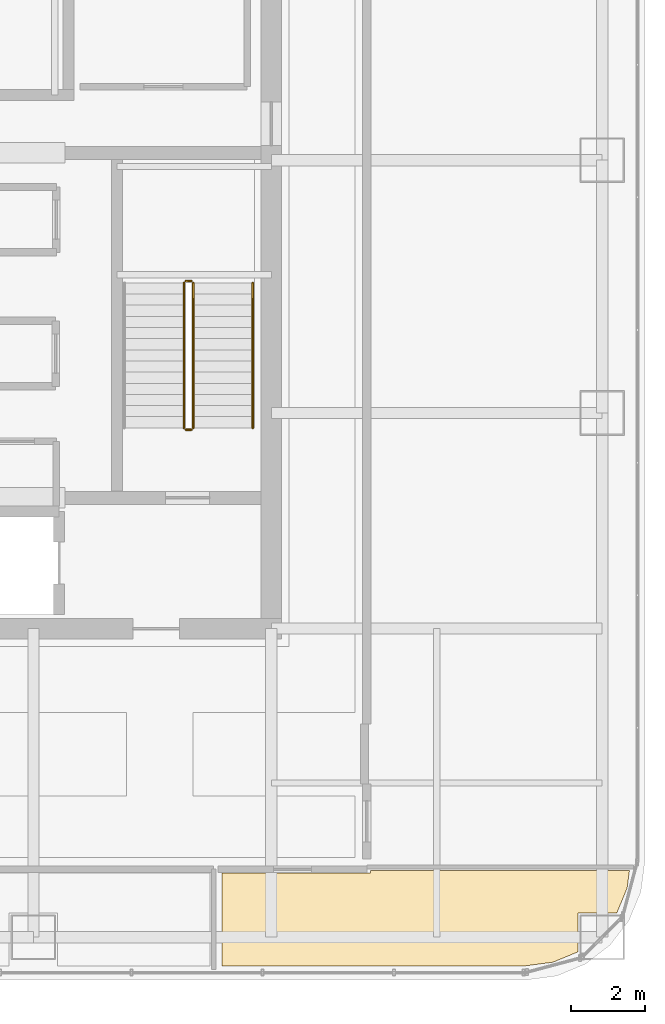
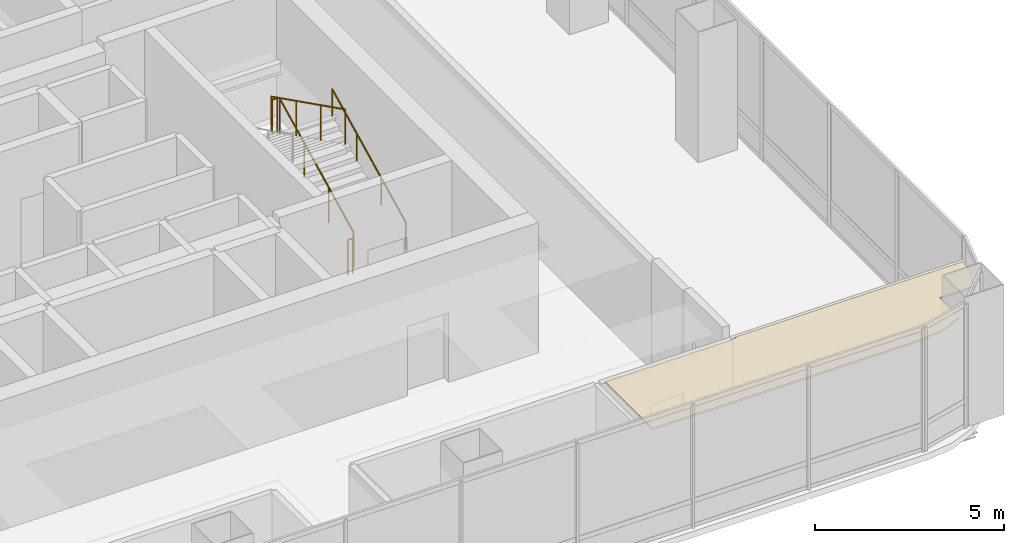
# One storey, part 41 of 42: 5 railings, 1 covering.
"""IFC4 building model written with IfcOpenShell, lengths in metres."""

from ifc_helpers import new_model, si_unit, direction, frame, origin, origin_2d, place, context, subcontext, project, spatial, polyline, circle, outline, extrude, material, layer, layer_set, type_object, element, save


model = new_model("IFC4")

# Units and contexts
model_context = context("Model", 3, precision=1e-05, world=origin(), true_north=direction((0.0, 1.0)))
body_context = subcontext(model_context, "Body", "Model", "MODEL_VIEW")
ifc_project = project(units=[si_unit("LENGTHUNIT", "METRE"), si_unit("AREAUNIT", "SQUARE_METRE"), si_unit("VOLUMEUNIT", "CUBIC_METRE"), si_unit("PLANEANGLEUNIT", "RADIAN"), si_unit("MASSUNIT", "GRAM", prefix="KILO")], contexts=[model_context])

# Site, building, storey
site_placement = place(None, origin())
site = spatial("IfcSite", under=ifc_project, at=site_placement, CompositionType="ELEMENT")
building_placement = place(site_placement, origin())
building = spatial("IfcBuilding", under=site, at=building_placement, Name="Punatoya Terracotta Tower", CompositionType="ELEMENT")
storey_placement = place(building_placement, frame((0.0, 0.0, 296.39990234375)))
storey = spatial("IfcBuildingStorey", under=building, at=storey_placement, Name="L70", CompositionType="ELEMENT", Elevation=296.39990234375)

# Covering
ifc_material_1 = material(Name="Acoustic Mineral Fibre Ceiling")
ifc_layer = layer(ifc_material_1, 0.06005859375)
ifc_layer_set = layer_set([ifc_layer], Name="Acoustic Mineral Fibre Ceiling")
covering_type = type_object("IfcCoveringType", Name="COV-CEIL-60", PredefinedType="CEILING", material=ifc_layer_set)
covering_placement = place(storey_placement, frame((0.0, 0.0, 3.39013671875)))
element("IfcCovering", 1, at=covering_placement, inside=storey, type_object=covering_type, Name="L70 Open-Plan Press Briefing Room Acoustic Ceiling", PredefinedType="CEILING", context=body_context, shape_type="SweptSolid", body=[
    extrude(outline(polyline([(12.8701171875, -15.77001953125), (8.8720703125, -15.77001953125), (8.8720703125, -18.27001953125), (17.025146484375, -18.27001953125), (17.779052734375, -18.1708984375), (18.449951171875, -17.892822265625), (18.449951171875, -16.85009765625), (19.492919921875, -16.85009765625), (19.770751953125, -16.178955078125), (19.83251953125, -15.7099609375), (12.8701171875, -15.7099609375), (12.8701171875, -15.77001953125)])), origin(), (0.0, 0.0, 1.0), 0.06005859375),
])

# Railings
ifc_material_2 = material(Name="Steel S355", Category="steel")
railing_type_1 = type_object("IfcRailingType", Name="RLG-GRD-1150", PredefinedType="GUARDRAIL", material=ifc_material_2)
railing_1_placement = place(storey_placement, frame((8.10009765625, -3.800048828125, 0.150146484375)))
element("IfcRailing", 2, at=railing_1_placement, inside=storey, type_object=railing_type_1, Name="L70 ST-2 stair guard 1", PredefinedType="GUARDRAIL", context=body_context, shape_type="SweptSolid", body=[
    extrude(circle(Radius=0.02392578125, at=origin_2d()), frame((0.0, 0.0, 1.1259765625), z_axis=(0.0, 0.894438388696, 0.447191199406), x_axis=(-1.0, 0.0, 0.0)), (0.0, 0.0, 1.0), 4.3603515625),
    extrude(circle(Radius=0.02099609375, at=origin_2d()), origin(), (0.0, 0.0, 1.0), 1.101806640625),
    extrude(circle(Radius=0.02099609375, at=origin_2d()), frame((0.0, 1.300048828125, 0.64990234375)), (0.0, 0.0, 1.0), 1.101806640625),
    extrude(circle(Radius=0.02099609375, at=origin_2d()), frame((0.0, 2.60009765625, 1.300048828125)), (0.0, 0.0, 1.0), 1.101806640625),
    extrude(circle(Radius=0.02099609375, at=origin_2d()), frame((0.0, 3.900146484375, 1.949951171875)), (0.0, 0.0, 1.0), 1.101806640625),
])
railing_2_placement = place(storey_placement, frame((8.050048828125, 0.14990234375, 2.10009765625)))
element("IfcRailing", 3, at=railing_2_placement, inside=storey, type_object=railing_type_1, Name="L70 ST-2 stair guard 2", PredefinedType="GUARDRAIL", context=body_context, shape_type="SweptSolid", body=[
    extrude(circle(Radius=0.02392578125, at=origin_2d()), frame((0.0, 0.0, 1.1259765625), z_axis=(-1.0, 0.0, 0.0), x_axis=(0.0, -1.0, 0.0)), (0.0, 0.0, 1.0), 0.150146484375),
    extrude(circle(Radius=0.02099609375, at=origin_2d()), origin(), (0.0, 0.0, 1.0), 1.101806640625),
    extrude(circle(Radius=0.02099609375, at=origin_2d()), frame((-0.150146484375, 0.0, 0.0)), (0.0, 0.0, 1.0), 1.101806640625),
])
railing_3_placement = place(storey_placement, frame((7.85009765625, 0.10009765625, 2.25)))
element("IfcRailing", 4, at=railing_3_placement, inside=storey, type_object=railing_type_1, Name="L70 ST-2 stair guard 3", PredefinedType="GUARDRAIL", context=body_context, shape_type="SweptSolid", body=[
    extrude(circle(Radius=0.02392578125, at=origin_2d()), frame((0.0, 0.0, 1.1259765625), z_axis=(0.0, -0.894415993023, 0.447235990752), x_axis=(1.0, 0.0, 0.0)), (0.0, 0.0, 1.0), 4.360595703125),
    extrude(circle(Radius=0.02099609375, at=origin_2d()), origin(), (0.0, 0.0, 1.0), 1.101806640625),
    extrude(circle(Radius=0.02099609375, at=origin_2d()), frame((0.0, -1.300048828125, 0.650146484375)), (0.0, 0.0, 1.0), 1.101806640625),
    extrude(circle(Radius=0.02099609375, at=origin_2d()), frame((0.0, -2.60009765625, 1.300048828125)), (0.0, 0.0, 1.0), 1.101806640625),
    extrude(circle(Radius=0.02099609375, at=origin_2d()), frame((0.0, -3.900146484375, 1.9501953125)), (0.0, 0.0, 1.0), 1.101806640625),
])
railing_4_placement = place(storey_placement, frame((8.050048828125, -3.85009765625, 0.0)))
element("IfcRailing", 5, at=railing_4_placement, inside=storey, type_object=railing_type_1, Name="L70 ST-2 stair guard 4", PredefinedType="GUARDRAIL", context=body_context, shape_type="SweptSolid", body=[
    extrude(circle(Radius=0.02392578125, at=origin_2d()), frame((0.0, 0.0, 1.1259765625), z_axis=(-1.0, 0.0, 0.0), x_axis=(0.0, -1.0, 0.0)), (0.0, 0.0, 1.0), 0.150146484375),
    extrude(circle(Radius=0.02099609375, at=origin_2d()), origin(), (0.0, 0.0, 1.0), 1.101806640625),
    extrude(circle(Radius=0.02099609375, at=origin_2d()), frame((-0.150146484375, 0.0, 0.0)), (0.0, 0.0, 1.0), 1.101806640625),
])
railing_type_2 = type_object("IfcRailingType", Name="RLG-HND-900", PredefinedType="HANDRAIL", material=ifc_material_2)
railing_5_placement = place(storey_placement, frame((9.699951171875, -3.800048828125, 0.150146484375)))
element("IfcRailing", 6, at=railing_5_placement, inside=storey, type_object=railing_type_2, Name="L70 ST-2 stair handrail 1", PredefinedType="HANDRAIL", context=body_context, shape_type="SweptSolid", body=[
    extrude(circle(Radius=0.02392578125, at=origin_2d()), frame((0.0, 0.0, 0.8759765625), z_axis=(0.0, 0.894438388696, 0.447191199406), x_axis=(-1.0, 0.0, 0.0)), (0.0, 0.0, 1.0), 4.3603515625),
    extrude(circle(Radius=0.02099609375, at=origin_2d()), origin(), (0.0, 0.0, 1.0), 0.851806640625),
    extrude(circle(Radius=0.02099609375, at=origin_2d()), frame((0.0, 1.300048828125, 0.64990234375)), (0.0, 0.0, 1.0), 0.851806640625),
    extrude(circle(Radius=0.02099609375, at=origin_2d()), frame((0.0, 2.60009765625, 1.300048828125)), (0.0, 0.0, 1.0), 0.851806640625),
    extrude(circle(Radius=0.02099609375, at=origin_2d()), frame((0.0, 3.900146484375, 1.949951171875)), (0.0, 0.0, 1.0), 0.851806640625),
])

save(model, "model.ifc")
